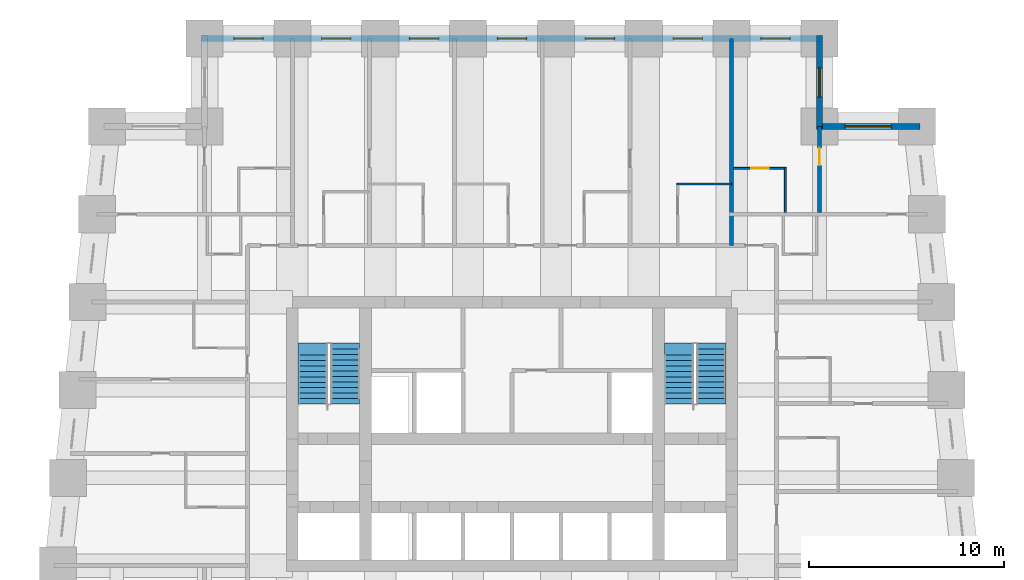
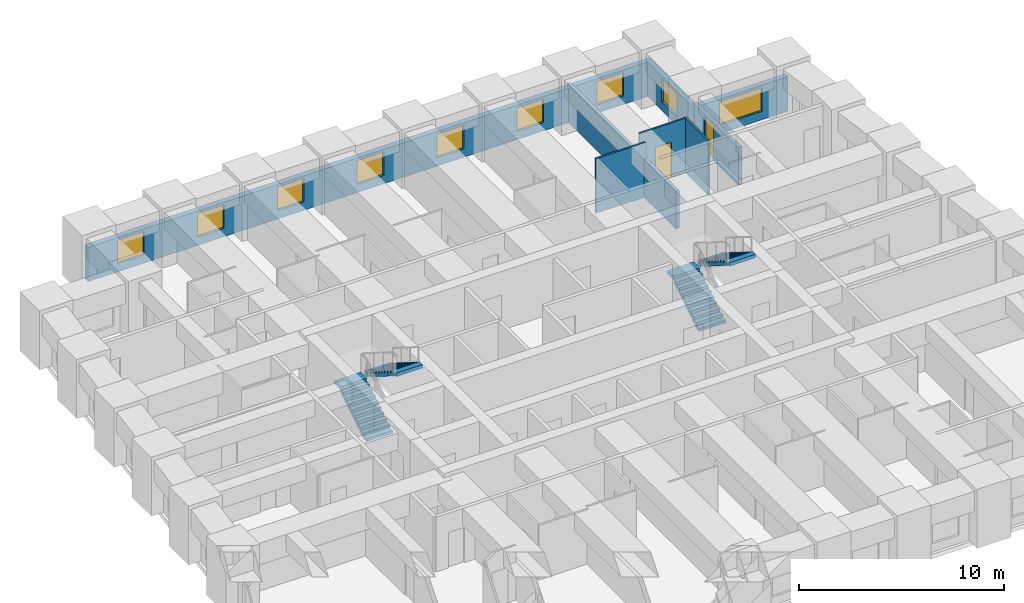
# One storey, part 7 of 8: 9 windows, 8 walls, 4 stair flights, 2 doors, 11 openings, 2 elements without a shape of their own.
"""IFC4 building model written with IfcOpenShell, lengths in metres."""

from ifc_helpers import new_model, si_unit, direction, frame, frame_2d, origin, place, context, subcontext, project, spatial, polyline, rectangle, outline, extrude, material, layer, layer_set, type_object, element, fill, aggregate, save


model = new_model("IFC4")

# Units and contexts
model_context = context("Model", 3, precision=1e-05, world=origin(), true_north=direction((0.0, 1.0)))
body_context = subcontext(model_context, "Body", "Model", "MODEL_VIEW")
ifc_project = project(units=[si_unit("LENGTHUNIT", "METRE"), si_unit("AREAUNIT", "SQUARE_METRE"), si_unit("VOLUMEUNIT", "CUBIC_METRE"), si_unit("PLANEANGLEUNIT", "RADIAN"), si_unit("MASSUNIT", "GRAM", prefix="KILO")], contexts=[model_context])

# Site, building, storey
site_placement = place(None, origin())
site = spatial("IfcSite", under=ifc_project, at=site_placement, CompositionType="ELEMENT")
building_placement = place(site_placement, origin())
building = spatial("IfcBuilding", under=site, at=building_placement, Name="Kilele Tower Hotel", CompositionType="ELEMENT")
storey_placement = place(building_placement, frame((0.0, 0.0, 68.199951171875)))
storey = spatial("IfcBuildingStorey", under=building, at=storey_placement, Name="L16", CompositionType="ELEMENT", Elevation=68.199951171875)

# Walls
ifc_material_1 = material(Name="Moisture-resistant board")
ifc_layer_1 = layer(ifc_material_1, 0.10009765625)
ifc_layer_set_1 = layer_set([ifc_layer_1], Name="Moisture-resistant board")
wall_type_1 = type_object("IfcWallType", Name="Bathroom partition 100", PredefinedType="PLUMBINGWALL", material=ifc_layer_set_1)
wall_1_placement = place(storey_placement, frame((33.199951171875, 33.050048828125, 0.0), z_axis=(0.0, 0.0, 1.0), x_axis=(1.0, 0.0, 0.0)))
element("IfcWall", 1, at=wall_1_placement, inside=storey, type_object=wall_type_1, Name="Bathroom partition 100 L16", PredefinedType="PLUMBINGWALL", context=body_context, shape_type="SweptSolid", body=[
    extrude(rectangle(XDim=2.800048828125, YDim=0.10009765625, at=frame_2d((1.39990234375, 0.0))), origin(), (0.0, 0.0, 1.0), 3.25),
])
wall_2_placement = place(storey_placement, frame((38.75, 31.60009765625, 0.0), z_axis=(0.0, 0.0, 1.0), x_axis=(0.0, 1.0, 0.0)))
element("IfcWall", 2, at=wall_2_placement, inside=storey, type_object=wall_type_1, Name="Bathroom partition 100 L16", PredefinedType="PLUMBINGWALL", context=body_context, shape_type="SweptSolid", body=[
    extrude(rectangle(XDim=2.2998046875, YDim=0.10009765625, at=frame_2d((1.14990234375, 0.0))), origin(), (0.0, 0.0, 1.0), 3.25),
])

# Wall, opening, door
wall_3_placement = place(storey_placement, frame((36.10009765625, 33.85009765625, 0.0), z_axis=(0.0, 0.0, 1.0), x_axis=(1.0, 0.0, 0.0)))
wall_3 = element("IfcWall", 3, at=wall_3_placement, inside=storey, type_object=wall_type_1, Name="Bathroom partition 100 L16", PredefinedType="PLUMBINGWALL", context=body_context, shape_type="SweptSolid", body=[
    extrude(rectangle(XDim=2.699951171875, YDim=0.10009765625, at=frame_2d((1.35009765625, 0.0))), origin(), (0.0, 0.0, 1.0), 3.25),
])
opening_1_placement = place(wall_3_placement, frame((0.89990234375, 0.0, 0.0)))
opening_1 = element("IfcOpeningElement", 4, at=opening_1_placement, cuts=wall_3, Name="Opening D2A", PredefinedType="OPENING", context=body_context, shape_type="SweptSolid", body=[
    extrude(rectangle(XDim=0.89990234375, YDim=2.10009765625, at=frame_2d((0.449951171875, 1.050048828125))), frame((0.0, 0.06005859375, 0.0), z_axis=(0.0, -1.0, 0.0), x_axis=(1.0, 0.0, 0.0)), (0.0, 0.0, 1.0), 0.1201171875),
])
ifc_material_2 = material(Name="Timber door leaf in hardwood frame", Category="wood")
door_type_1 = type_object("IfcDoorType", Name="Bathroom door 900", OperationType="SINGLE_SWING_LEFT", PredefinedType="DOOR", material=ifc_material_2)
door_1_placement = place(opening_1_placement, origin())
door_1 = element("IfcDoor", 5, at=door_1_placement, inside=storey, type_object=door_type_1, Name="Bathroom door 1624B", OperationType="SINGLE_SWING_LEFT", OverallHeight=2.10009765625, OverallWidth=0.89990234375, PredefinedType="DOOR", context=body_context, shape_type="SweptSolid", body=[
    extrude(rectangle(XDim=0.89990234375, YDim=2.10009765625, at=frame_2d((0.449951171875, 1.050048828125))), frame((0.0, 0.02490234375, 0.0), z_axis=(0.0, -1.0, 0.0), x_axis=(1.0, 0.0, 0.0)), (0.0, 0.0, 1.0), 0.050048828125),
])
fill(opening_1, door_1)

ifc_material_3 = material(Name="Blockwork, plastered both sides", Category="masonry")
ifc_layer_2 = layer(ifc_material_3, 0.199951171875)
ifc_layer_set_2 = layer_set([ifc_layer_2], Name="Blockwork, plastered both sides")
wall_type_2 = type_object("IfcWallType", Name="Partition wall 200", PredefinedType="PARTITIONING", material=ifc_layer_set_2)
wall_4_placement = place(storey_placement, frame((40.5, 31.60009765625, 0.0), z_axis=(0.0, 0.0, 1.0), x_axis=(0.0, 1.0, 0.0)))
wall_4 = element("IfcWall", 6, at=wall_4_placement, inside=storey, type_object=wall_type_2, Name="Partition wall 200 L16", PredefinedType="PARTITIONING", context=body_context, shape_type="SweptSolid", body=[
    extrude(rectangle(XDim=4.39990234375, YDim=0.199951171875, at=frame_2d((2.199951171875, 0.0))), origin(), (0.0, 0.0, 1.0), 2.25),
])
opening_2_placement = place(wall_4_placement, frame((2.39990234375, 0.0, 0.0)))
opening_2 = element("IfcOpeningElement", 7, at=opening_2_placement, cuts=wall_4, Name="Opening D3", PredefinedType="OPENING", context=body_context, shape_type="SweptSolid", body=[
    extrude(rectangle(XDim=0.89990234375, YDim=2.10009765625, at=frame_2d((0.449951171875, 1.050048828125))), frame((0.0, 0.10986328125, 0.0), z_axis=(0.0, -1.0, 0.0), x_axis=(1.0, 0.0, 0.0)), (0.0, 0.0, 1.0), 0.219970703125),
])
ifc_material_4 = material(Name="Timber door leaf in hardwood frame", Category="wood")
door_type_2 = type_object("IfcDoorType", Name="Suite internal door 900", OperationType="SINGLE_SWING_LEFT", PredefinedType="DOOR", material=ifc_material_4)
door_2_placement = place(opening_2_placement, origin())
door_2 = element("IfcDoor", 8, at=door_2_placement, inside=storey, type_object=door_type_2, Name="Suite door 1625", OperationType="SINGLE_SWING_RIGHT", OverallHeight=2.10009765625, OverallWidth=0.89990234375, PredefinedType="DOOR", context=body_context, shape_type="SweptSolid", body=[
    extrude(rectangle(XDim=0.89990234375, YDim=2.10009765625, at=frame_2d((0.449951171875, 1.050048828125))), frame((0.0, 0.02490234375, 0.0), z_axis=(0.0, -1.0, 0.0), x_axis=(1.0, 0.0, 0.0)), (0.0, 0.0, 1.0), 0.050048828125),
])
fill(opening_2, door_2)

# Wall
ifc_material_5 = material(Name="Blockwork, plastered both sides", Category="masonry")
ifc_layer_3 = layer(ifc_material_5, 0.199951171875)
ifc_layer_set_3 = layer_set([ifc_layer_3], Name="Blockwork, plastered both sides")
wall_type_3 = type_object("IfcWallType", Name="Party wall 200", PredefinedType="PARTITIONING", material=ifc_layer_set_3)
wall_5_placement = place(storey_placement, frame((36.0, 29.89990234375, 0.0), z_axis=(0.0, 0.0, 1.0), x_axis=(0.0, 1.0, 0.0)))
element("IfcWall", 9, at=wall_5_placement, inside=storey, type_object=wall_type_3, Name="Party wall 200 L16", PredefinedType="PARTITIONING", context=body_context, shape_type="SweptSolid", body=[
    extrude(rectangle(XDim=10.60009765625, YDim=0.199951171875, at=frame_2d((5.300048828125, 0.0))), origin(), (0.0, 0.0, 1.0), 2.25),
])

# Wall, opening, window
ifc_material_6 = material(Name="Concrete C40/50 precast", Category="concrete")
ifc_layer_4 = layer(ifc_material_6, 0.260009765625, Name="Precast backing", Category="LoadBearing")
ifc_material_7 = material(Name="Reconstituted stone finish", Category="masonry")
ifc_layer_5 = layer(ifc_material_7, 0.0400390625, Name="Face mix", Category="Finish")
ifc_layer_set_4 = layer_set([ifc_layer_4, ifc_layer_5], Name="Precast concrete C40/50, reconstituted stone finish")
wall_type_4 = type_object("IfcWallType", Name="Precast stone facade wall 300", PredefinedType="STANDARD", material=ifc_layer_set_4)
wall_6_placement = place(storey_placement, frame((45.64990234375, 36.0, 0.0), z_axis=(0.0, 0.0, 1.0), x_axis=(-1.0, 0.0, 0.0)))
wall_6 = element("IfcWall", 10, at=wall_6_placement, inside=storey, type_object=wall_type_4, Name="Facade wall L16 edge 7", PredefinedType="STANDARD", context=body_context, shape_type="SweptSolid", body=[
    extrude(rectangle(XDim=5.2998046875, YDim=0.300048828125, at=frame_2d((2.64990234375, 0.0))), origin(), (0.0, 0.0, 1.0), 2.050048828125),
])
opening_3_placement = place(wall_6_placement, frame((1.449951171875, 0.0, 0.5)))
opening_3 = element("IfcOpeningElement", 11, at=opening_3_placement, cuts=wall_6, Name="Opening W1", PredefinedType="OPENING", context=body_context, shape_type="SweptSolid", body=[
    extrude(rectangle(XDim=2.39990234375, YDim=1.39990234375, at=frame_2d((1.199951171875, 0.699951171875))), frame((0.0, 0.159912109375, 0.0), z_axis=(0.0, -1.0, 0.0), x_axis=(1.0, 0.0, 0.0)), (0.0, 0.0, 1.0), 0.320068359375),
])
ifc_material_8 = material(Name="Aluminium frame, clear double glazing", Category="aluminium")
window_type_1 = type_object("IfcWindowType", Name="Window W1 2400 x 1400", PartitioningType="SINGLE_PANEL", PredefinedType="WINDOW", material=ifc_material_8)
window_1_placement = place(opening_3_placement, origin())
window_1 = element("IfcWindow", 12, at=window_1_placement, inside=storey, type_object=window_type_1, Name="Window L16", OverallHeight=1.39990234375, OverallWidth=2.39990234375, PartitioningType="SINGLE_PANEL", PredefinedType="WINDOW", context=body_context, shape_type="SweptSolid", body=[
    extrude(rectangle(XDim=2.39990234375, YDim=1.39990234375, at=frame_2d((1.199951171875, 0.699951171875))), frame((0.0, 0.030029296875, 0.0), z_axis=(0.0, -1.0, 0.0), x_axis=(1.0, 0.0, 0.0)), (0.0, 0.0, 1.0), 0.06005859375),
])
fill(opening_3, window_1)

wall_7_placement = place(storey_placement, frame((40.5, 35.85009765625, 0.0), z_axis=(0.0, 0.0, 1.0), x_axis=(0.0, 1.0, 0.0)))
wall_7 = element("IfcWall", 13, at=wall_7_placement, inside=storey, type_object=wall_type_4, Name="Facade wall L16 edge 8", PredefinedType="STANDARD", context=body_context, shape_type="SweptSolid", body=[
    extrude(rectangle(XDim=4.7998046875, YDim=0.300048828125, at=frame_2d((2.39990234375, 0.0))), origin(), (0.0, 0.0, 1.0), 2.050048828125),
])
opening_4_placement = place(wall_7_placement, frame((1.64990234375, 0.0, 0.5)))
opening_4 = element("IfcOpeningElement", 14, at=opening_4_placement, cuts=wall_7, Name="Opening W1", PredefinedType="OPENING", context=body_context, shape_type="SweptSolid", body=[
    extrude(rectangle(XDim=1.5, YDim=1.39990234375, at=frame_2d((0.75, 0.699951171875))), frame((0.0, 0.159912109375, 0.0), z_axis=(0.0, -1.0, 0.0), x_axis=(1.0, 0.0, 0.0)), (0.0, 0.0, 1.0), 0.320068359375),
])
ifc_material_9 = material(Name="Aluminium frame, clear double glazing", Category="aluminium")
window_type_2 = type_object("IfcWindowType", Name="Window W1 1500 x 1400", PartitioningType="SINGLE_PANEL", PredefinedType="WINDOW", material=ifc_material_9)
window_2_placement = place(opening_4_placement, origin())
window_2 = element("IfcWindow", 15, at=window_2_placement, inside=storey, type_object=window_type_2, Name="Window L16", OverallHeight=1.39990234375, OverallWidth=1.5, PartitioningType="SINGLE_PANEL", PredefinedType="WINDOW", context=body_context, shape_type="SweptSolid", body=[
    extrude(rectangle(XDim=1.5, YDim=1.39990234375, at=frame_2d((0.75, 0.699951171875))), frame((0.0, 0.030029296875, 0.0), z_axis=(0.0, -1.0, 0.0), x_axis=(1.0, 0.0, 0.0)), (0.0, 0.0, 1.0), 0.06005859375),
])
fill(opening_4, window_2)

# Wall, openings, windows
wall_8_placement = place(storey_placement, frame((40.64990234375, 40.5, 0.0), z_axis=(0.0, 0.0, 1.0), x_axis=(-1.0, 0.0, 0.0)))
wall_8 = element("IfcWall", 16, at=wall_8_placement, inside=storey, type_object=wall_type_4, Name="Facade wall L16 edge 9", PredefinedType="STANDARD", context=body_context, shape_type="SweptSolid", body=[
    extrude(rectangle(XDim=31.7998046875, YDim=0.300048828125, at=frame_2d((15.89990234375, 0.0))), origin(), (0.0, 0.0, 1.0), 2.050048828125),
])
opening_5_placement = place(wall_8_placement, frame((1.64990234375, 0.0, 0.5)))
opening_5 = element("IfcOpeningElement", 17, at=opening_5_placement, cuts=wall_8, Name="Opening W1", PredefinedType="OPENING", context=body_context, shape_type="SweptSolid", body=[
    extrude(rectangle(XDim=1.5, YDim=1.39990234375, at=frame_2d((0.75, 0.699951171875))), frame((0.0, 0.159912109375, 0.0), z_axis=(0.0, -1.0, 0.0), x_axis=(1.0, 0.0, 0.0)), (0.0, 0.0, 1.0), 0.320068359375),
])
opening_6_placement = place(wall_8_placement, frame((6.14990234375, 0.0, 0.5)))
opening_6 = element("IfcOpeningElement", 18, at=opening_6_placement, cuts=wall_8, Name="Opening W1", PredefinedType="OPENING", context=body_context, shape_type="SweptSolid", body=[
    extrude(rectangle(XDim=1.5, YDim=1.39990234375, at=frame_2d((0.75, 0.699951171875))), frame((0.0, 0.159912109375, 0.0), z_axis=(0.0, -1.0, 0.0), x_axis=(1.0, 0.0, 0.0)), (0.0, 0.0, 1.0), 0.320068359375),
])
opening_7_placement = place(wall_8_placement, frame((10.64990234375, 0.0, 0.5)))
opening_7 = element("IfcOpeningElement", 19, at=opening_7_placement, cuts=wall_8, Name="Opening W1", PredefinedType="OPENING", context=body_context, shape_type="SweptSolid", body=[
    extrude(rectangle(XDim=1.5, YDim=1.39990234375, at=frame_2d((0.75, 0.699951171875))), frame((0.0, 0.159912109375, 0.0), z_axis=(0.0, -1.0, 0.0), x_axis=(1.0, 0.0, 0.0)), (0.0, 0.0, 1.0), 0.320068359375),
])
opening_8_placement = place(wall_8_placement, frame((15.14990234375, 0.0, 0.5)))
opening_8 = element("IfcOpeningElement", 20, at=opening_8_placement, cuts=wall_8, Name="Opening W1", PredefinedType="OPENING", context=body_context, shape_type="SweptSolid", body=[
    extrude(rectangle(XDim=1.5, YDim=1.39990234375, at=frame_2d((0.75, 0.699951171875))), frame((0.0, 0.159912109375, 0.0), z_axis=(0.0, -1.0, 0.0), x_axis=(1.0, 0.0, 0.0)), (0.0, 0.0, 1.0), 0.320068359375),
])
opening_9_placement = place(wall_8_placement, frame((19.64990234375, 0.0, 0.5)))
opening_9 = element("IfcOpeningElement", 21, at=opening_9_placement, cuts=wall_8, Name="Opening W1", PredefinedType="OPENING", context=body_context, shape_type="SweptSolid", body=[
    extrude(rectangle(XDim=1.5, YDim=1.39990234375, at=frame_2d((0.75, 0.699951171875))), frame((0.0, 0.159912109375, 0.0), z_axis=(0.0, -1.0, 0.0), x_axis=(1.0, 0.0, 0.0)), (0.0, 0.0, 1.0), 0.320068359375),
])
opening_10_placement = place(wall_8_placement, frame((24.14990234375, 0.0, 0.5)))
opening_10 = element("IfcOpeningElement", 22, at=opening_10_placement, cuts=wall_8, Name="Opening W1", PredefinedType="OPENING", context=body_context, shape_type="SweptSolid", body=[
    extrude(rectangle(XDim=1.5, YDim=1.39990234375, at=frame_2d((0.75, 0.699951171875))), frame((0.0, 0.159912109375, 0.0), z_axis=(0.0, -1.0, 0.0), x_axis=(1.0, 0.0, 0.0)), (0.0, 0.0, 1.0), 0.320068359375),
])
opening_11_placement = place(wall_8_placement, frame((28.64990234375, 0.0, 0.5)))
opening_11 = element("IfcOpeningElement", 23, at=opening_11_placement, cuts=wall_8, Name="Opening W1", PredefinedType="OPENING", context=body_context, shape_type="SweptSolid", body=[
    extrude(rectangle(XDim=1.5, YDim=1.39990234375, at=frame_2d((0.75, 0.699951171875))), frame((0.0, 0.159912109375, 0.0), z_axis=(0.0, -1.0, 0.0), x_axis=(1.0, 0.0, 0.0)), (0.0, 0.0, 1.0), 0.320068359375),
])
window_3_placement = place(opening_5_placement, origin())
window_3 = element("IfcWindow", 24, at=window_3_placement, inside=storey, type_object=window_type_2, Name="Window L16", OverallHeight=1.39990234375, OverallWidth=1.5, PartitioningType="SINGLE_PANEL", PredefinedType="WINDOW", context=body_context, shape_type="SweptSolid", body=[
    extrude(rectangle(XDim=1.5, YDim=1.39990234375, at=frame_2d((0.75, 0.699951171875))), frame((0.0, 0.030029296875, 0.0), z_axis=(0.0, -1.0, 0.0), x_axis=(1.0, 0.0, 0.0)), (0.0, 0.0, 1.0), 0.06005859375),
])
fill(opening_5, window_3)
window_4_placement = place(opening_6_placement, origin())
window_4 = element("IfcWindow", 25, at=window_4_placement, inside=storey, type_object=window_type_2, Name="Window L16", OverallHeight=1.39990234375, OverallWidth=1.5, PartitioningType="SINGLE_PANEL", PredefinedType="WINDOW", context=body_context, shape_type="SweptSolid", body=[
    extrude(rectangle(XDim=1.5, YDim=1.39990234375, at=frame_2d((0.75, 0.699951171875))), frame((0.0, 0.030029296875, 0.0), z_axis=(0.0, -1.0, 0.0), x_axis=(1.0, 0.0, 0.0)), (0.0, 0.0, 1.0), 0.06005859375),
])
fill(opening_6, window_4)
window_5_placement = place(opening_7_placement, origin())
window_5 = element("IfcWindow", 26, at=window_5_placement, inside=storey, type_object=window_type_2, Name="Window L16", OverallHeight=1.39990234375, OverallWidth=1.5, PartitioningType="SINGLE_PANEL", PredefinedType="WINDOW", context=body_context, shape_type="SweptSolid", body=[
    extrude(rectangle(XDim=1.5, YDim=1.39990234375, at=frame_2d((0.75, 0.699951171875))), frame((0.0, 0.030029296875, 0.0), z_axis=(0.0, -1.0, 0.0), x_axis=(1.0, 0.0, 0.0)), (0.0, 0.0, 1.0), 0.06005859375),
])
fill(opening_7, window_5)
window_6_placement = place(opening_8_placement, origin())
window_6 = element("IfcWindow", 27, at=window_6_placement, inside=storey, type_object=window_type_2, Name="Window L16", OverallHeight=1.39990234375, OverallWidth=1.5, PartitioningType="SINGLE_PANEL", PredefinedType="WINDOW", context=body_context, shape_type="SweptSolid", body=[
    extrude(rectangle(XDim=1.5, YDim=1.39990234375, at=frame_2d((0.75, 0.699951171875))), frame((0.0, 0.030029296875, 0.0), z_axis=(0.0, -1.0, 0.0), x_axis=(1.0, 0.0, 0.0)), (0.0, 0.0, 1.0), 0.06005859375),
])
fill(opening_8, window_6)
window_7_placement = place(opening_9_placement, origin())
window_7 = element("IfcWindow", 28, at=window_7_placement, inside=storey, type_object=window_type_2, Name="Window L16", OverallHeight=1.39990234375, OverallWidth=1.5, PartitioningType="SINGLE_PANEL", PredefinedType="WINDOW", context=body_context, shape_type="SweptSolid", body=[
    extrude(rectangle(XDim=1.5, YDim=1.39990234375, at=frame_2d((0.75, 0.699951171875))), frame((0.0, 0.030029296875, 0.0), z_axis=(0.0, -1.0, 0.0), x_axis=(1.0, 0.0, 0.0)), (0.0, 0.0, 1.0), 0.06005859375),
])
fill(opening_9, window_7)
window_8_placement = place(opening_10_placement, origin())
window_8 = element("IfcWindow", 29, at=window_8_placement, inside=storey, type_object=window_type_2, Name="Window L16", OverallHeight=1.39990234375, OverallWidth=1.5, PartitioningType="SINGLE_PANEL", PredefinedType="WINDOW", context=body_context, shape_type="SweptSolid", body=[
    extrude(rectangle(XDim=1.5, YDim=1.39990234375, at=frame_2d((0.75, 0.699951171875))), frame((0.0, 0.030029296875, 0.0), z_axis=(0.0, -1.0, 0.0), x_axis=(1.0, 0.0, 0.0)), (0.0, 0.0, 1.0), 0.06005859375),
])
fill(opening_10, window_8)
window_9_placement = place(opening_11_placement, origin())
window_9 = element("IfcWindow", 30, at=window_9_placement, inside=storey, type_object=window_type_2, Name="Window L16", OverallHeight=1.39990234375, OverallWidth=1.5, PartitioningType="SINGLE_PANEL", PredefinedType="WINDOW", context=body_context, shape_type="SweptSolid", body=[
    extrude(rectangle(XDim=1.5, YDim=1.39990234375, at=frame_2d((0.75, 0.699951171875))), frame((0.0, 0.030029296875, 0.0), z_axis=(0.0, -1.0, 0.0), x_axis=(1.0, 0.0, 0.0)), (0.0, 0.0, 1.0), 0.06005859375),
])
fill(opening_11, window_9)

# Stair, stair flights
ifc_material_10 = material(Name="Precast concrete C40/50", Category="concrete")
stair_type = type_object("IfcStairType", Name="Stair 1475 x 3500", PredefinedType="HALF_TURN_STAIR", material=ifc_material_10)
stair_1_placement = place(storey_placement, origin())
stair_1 = element("IfcStair", 31, at=stair_1_placement, inside=storey, type_object=stair_type, Name="Stair 1 L16", PredefinedType="HALF_TURN_STAIR")
ifc_material_11 = material(Name="Precast concrete C40/50", Category="concrete")
stair_flight_type = type_object("IfcStairFlightType", Name="Flight 1475 riser 175.0", PredefinedType="STRAIGHT", material=ifc_material_11)
stair_flight_1_placement = place(storey_placement, frame((14.53759765625, 21.77490234375, 0.0), z_axis=(0.0, 0.0, 1.0), x_axis=(0.0, 1.0, 0.0)))
stair_flight_1 = element("IfcStairFlight", 32, at=stair_flight_1_placement, type_object=stair_flight_type, Name="ST1 flight 1", NumberOfRisers=10, NumberOfTreads=9, PredefinedType="STRAIGHT", RiserHeight=0.175, TreadLength=0.28, context=body_context, shape_type="SweptSolid", body=[
    extrude(outline(polyline([(0.0, 0.0), (0.0, 0.175048828125), (0.280029296875, 0.175048828125), (0.280029296875, 0.35009765625), (0.56005859375, 0.35009765625), (0.56005859375, 0.52490234375), (0.840087890625, 0.52490234375), (0.840087890625, 0.699951171875), (1.1201171875, 0.699951171875), (1.1201171875, 0.875), (1.39990234375, 0.875), (1.39990234375, 1.050048828125), (1.679931640625, 1.050048828125), (1.679931640625, 1.22509765625), (1.9599609375, 1.22509765625), (1.9599609375, 1.39990234375), (2.239990234375, 1.39990234375), (2.239990234375, 1.574951171875), (2.52001953125, 1.574951171875), (2.52001953125, 1.75), (2.52001953125, 1.398193359375), (0.28271484375, 0.0), (0.0, 0.0)])), frame((0.0, 0.737548828125, 0.0), z_axis=(0.0, -1.0, 0.0), x_axis=(1.0, 0.0, 0.0)), (0.0, 0.0, 1.0), 1.47509765625),
    extrude(outline(polyline([(2.52001953125, 0.737548828125), (2.52001953125, -0.7373046875), (3.1201171875, -0.7373046875), (3.1201171875, 0.737548828125), (2.52001953125, 0.737548828125)])), frame((0.0, 0.0, 1.550048828125)), (0.0, 0.0, 1.0), 0.199951171875),
])
stair_flight_2_placement = place(storey_placement, frame((16.21240234375, 24.594970703125, 1.75), z_axis=(0.0, 0.0, 1.0), x_axis=(0.0, -1.0, 0.0)))
stair_flight_2 = element("IfcStairFlight", 33, at=stair_flight_2_placement, type_object=stair_flight_type, Name="ST1 flight 2", NumberOfRisers=10, NumberOfTreads=9, PredefinedType="STRAIGHT", RiserHeight=0.175, TreadLength=0.28, context=body_context, shape_type="SweptSolid", body=[
    extrude(outline(polyline([(0.0, 0.0), (0.0, 0.175048828125), (0.280029296875, 0.175048828125), (0.280029296875, 0.35009765625), (0.56005859375, 0.35009765625), (0.56005859375, 0.52490234375), (0.840087890625, 0.52490234375), (0.840087890625, 0.699951171875), (1.1201171875, 0.699951171875), (1.1201171875, 0.875), (1.39990234375, 0.875), (1.39990234375, 1.050048828125), (1.679931640625, 1.050048828125), (1.679931640625, 1.22509765625), (1.9599609375, 1.22509765625), (1.9599609375, 1.39990234375), (2.239990234375, 1.39990234375), (2.239990234375, 1.574951171875), (2.52001953125, 1.574951171875), (2.52001953125, 1.75), (2.52001953125, 1.398193359375), (0.28271484375, 0.0), (0.0, 0.0)])), frame((0.0, 0.737548828125, 0.0), z_axis=(0.0, -1.0, 0.0), x_axis=(1.0, 0.0, 0.0)), (0.0, 0.0, 1.0), 1.47509765625),
    extrude(outline(polyline([(0.0, -0.7373046875), (0.0, 0.737548828125), (-0.300048828125, 0.737548828125), (-0.300048828125, -0.7373046875), (0.0, -0.7373046875)])), frame((0.0, 0.0, -0.199951171875)), (0.0, 0.0, 1.0), 0.199951171875),
    extrude(outline(polyline([(2.820068359375, -0.7373046875), (2.820068359375, 0.737548828125), (2.52001953125, 0.737548828125), (2.52001953125, -0.7373046875), (2.820068359375, -0.7373046875)])), frame((0.0, 0.0, 1.550048828125)), (0.0, 0.0, 1.0), 0.199951171875),
])
aggregate(stair_1, [stair_flight_1, stair_flight_2])

stair_2_placement = place(storey_placement, origin())
stair_2 = element("IfcStair", 34, at=stair_2_placement, inside=storey, type_object=stair_type, Name="Stair 2 L16", PredefinedType="HALF_TURN_STAIR")
stair_flight_3_placement = place(storey_placement, frame((33.28759765625, 21.77490234375, 0.0), z_axis=(0.0, 0.0, 1.0), x_axis=(0.0, 1.0, 0.0)))
stair_flight_3 = element("IfcStairFlight", 35, at=stair_flight_3_placement, type_object=stair_flight_type, Name="ST2 flight 1", NumberOfRisers=10, NumberOfTreads=9, PredefinedType="STRAIGHT", RiserHeight=0.175, TreadLength=0.28, context=body_context, shape_type="SweptSolid", body=[
    extrude(outline(polyline([(0.0, 0.0), (0.0, 0.175048828125), (0.280029296875, 0.175048828125), (0.280029296875, 0.35009765625), (0.56005859375, 0.35009765625), (0.56005859375, 0.52490234375), (0.840087890625, 0.52490234375), (0.840087890625, 0.699951171875), (1.1201171875, 0.699951171875), (1.1201171875, 0.875), (1.39990234375, 0.875), (1.39990234375, 1.050048828125), (1.679931640625, 1.050048828125), (1.679931640625, 1.22509765625), (1.9599609375, 1.22509765625), (1.9599609375, 1.39990234375), (2.239990234375, 1.39990234375), (2.239990234375, 1.574951171875), (2.52001953125, 1.574951171875), (2.52001953125, 1.75), (2.52001953125, 1.398193359375), (0.28271484375, 0.0), (0.0, 0.0)])), frame((0.0, 0.737548828125, 0.0), z_axis=(0.0, -1.0, 0.0), x_axis=(1.0, 0.0, 0.0)), (0.0, 0.0, 1.0), 1.47509765625),
    extrude(outline(polyline([(2.52001953125, 0.737548828125), (2.52001953125, -0.7373046875), (3.1201171875, -0.7373046875), (3.1201171875, 0.737548828125), (2.52001953125, 0.737548828125)])), frame((0.0, 0.0, 1.550048828125)), (0.0, 0.0, 1.0), 0.199951171875),
])
stair_flight_4_placement = place(storey_placement, frame((34.96240234375, 24.594970703125, 1.75), z_axis=(0.0, 0.0, 1.0), x_axis=(0.0, -1.0, 0.0)))
stair_flight_4 = element("IfcStairFlight", 36, at=stair_flight_4_placement, type_object=stair_flight_type, Name="ST2 flight 2", NumberOfRisers=10, NumberOfTreads=9, PredefinedType="STRAIGHT", RiserHeight=0.175, TreadLength=0.28, context=body_context, shape_type="SweptSolid", body=[
    extrude(outline(polyline([(0.0, 0.0), (0.0, 0.175048828125), (0.280029296875, 0.175048828125), (0.280029296875, 0.35009765625), (0.56005859375, 0.35009765625), (0.56005859375, 0.52490234375), (0.840087890625, 0.52490234375), (0.840087890625, 0.699951171875), (1.1201171875, 0.699951171875), (1.1201171875, 0.875), (1.39990234375, 0.875), (1.39990234375, 1.050048828125), (1.679931640625, 1.050048828125), (1.679931640625, 1.22509765625), (1.9599609375, 1.22509765625), (1.9599609375, 1.39990234375), (2.239990234375, 1.39990234375), (2.239990234375, 1.574951171875), (2.52001953125, 1.574951171875), (2.52001953125, 1.75), (2.52001953125, 1.398193359375), (0.28271484375, 0.0), (0.0, 0.0)])), frame((0.0, 0.737548828125, 0.0), z_axis=(0.0, -1.0, 0.0), x_axis=(1.0, 0.0, 0.0)), (0.0, 0.0, 1.0), 1.47509765625),
    extrude(outline(polyline([(0.0, -0.7373046875), (0.0, 0.737548828125), (-0.300048828125, 0.737548828125), (-0.300048828125, -0.7373046875), (0.0, -0.7373046875)])), frame((0.0, 0.0, -0.199951171875)), (0.0, 0.0, 1.0), 0.199951171875),
    extrude(outline(polyline([(2.820068359375, -0.7373046875), (2.820068359375, 0.737548828125), (2.52001953125, 0.737548828125), (2.52001953125, -0.7373046875), (2.820068359375, -0.7373046875)])), frame((0.0, 0.0, 1.550048828125)), (0.0, 0.0, 1.0), 0.199951171875),
])
aggregate(stair_2, [stair_flight_3, stair_flight_4])

save(model, "model.ifc")
